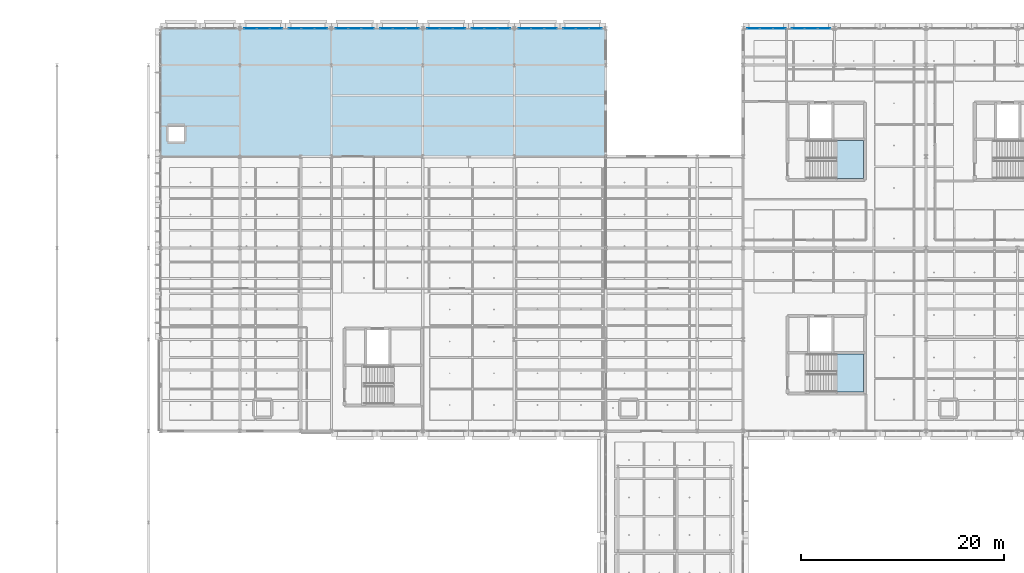
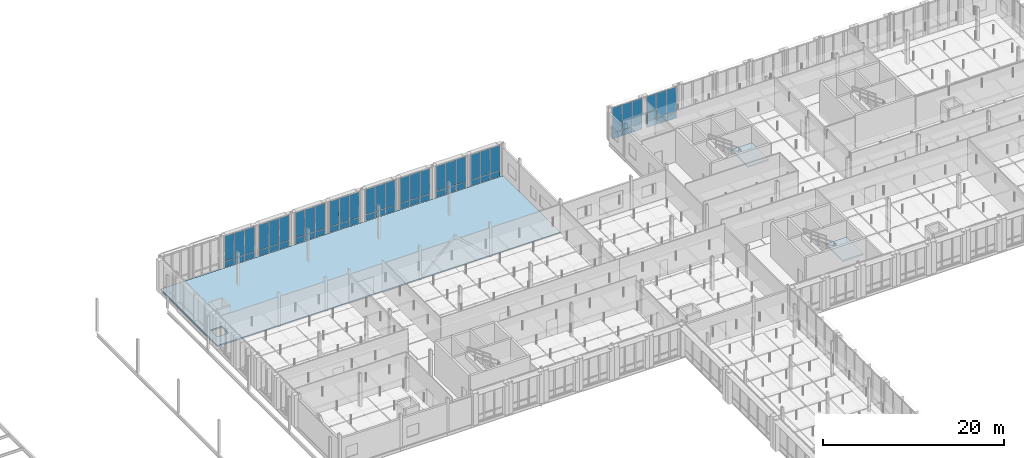
# One storey, part 58 of 130: 60 plates, 3 slabs, 12 elements without a shape of their own.
"""IFC4 building model written with IfcOpenShell, lengths in metres."""

from ifc_helpers import new_model, si_unit, direction, frame, origin, origin_2d, place, context, subcontext, project, spatial, polyline, rectangle, outline, extrude, material, layer, layer_set, type_object, element, aggregate, save


model = new_model("IFC4")

# Units and contexts
model_context = context("Model", 3, precision=1e-05, world=origin(), true_north=direction((0.0, 1.0)))
body_context = subcontext(model_context, "Body", "Model", "MODEL_VIEW")
ifc_project = project(units=[si_unit("LENGTHUNIT", "METRE"), si_unit("AREAUNIT", "SQUARE_METRE"), si_unit("VOLUMEUNIT", "CUBIC_METRE"), si_unit("PLANEANGLEUNIT", "RADIAN"), si_unit("MASSUNIT", "GRAM", prefix="KILO"), si_unit("THERMODYNAMICTEMPERATUREUNIT", "KELVIN"), si_unit("POWERUNIT", "WATT")], contexts=[model_context])

# Site, building, storey
site_placement = place(None, origin())
site = spatial("IfcSite", under=ifc_project, at=site_placement, CompositionType="ELEMENT")
building_placement = place(site_placement, origin())
building = spatial("IfcBuilding", under=site, at=building_placement, Name="Tallowbark Science Centre", CompositionType="ELEMENT")
storey_placement = place(building_placement, frame((0.0, 0.0, 5.39990234375)))
storey = spatial("IfcBuildingStorey", under=building, at=storey_placement, Name="L01", CompositionType="ELEMENT", Elevation=5.39990234375)

# Curtain wall, plates
ifc_material_1 = material(Name="Unitised Thermally Broken Aluminium and Low-E Double Glazing", Category="aluminium")
curtain_wall_type = type_object("IfcCurtainWallType", Name="CW-SYS-FACADE", PredefinedType="NOTDEFINED", material=ifc_material_1)
curtain_wall_1_placement = place(storey_placement, origin())
curtain_wall_1 = element("IfcCurtainWall", 1, at=curtain_wall_1_placement, inside=storey, type_object=curtain_wall_type, Name="Unitised Curtain Wall CAF-N-63B CW-L01-052", PredefinedType="NOTDEFINED")
ifc_material_2 = material(Name="Double Glazed Argon Low-E Vision Glass", Category="glass")
ifc_layer_1 = layer(ifc_material_2, 0.028076171875)
ifc_layer_set_1 = layer_set([ifc_layer_1], Name="Double Glazed Argon Low-E Vision Glass")
plate_type_1 = type_object("IfcPlateType", Name="CWP-GLZ-28", PredefinedType="CURTAIN_PANEL", material=ifc_layer_set_1)
plate_1_placement = place(storey_placement, frame((66.583740234375, 111.60009765625, 0.05517578125), z_axis=(0.0, 0.0, 1.0), x_axis=(-1.0, 0.0, 0.0)))
plate_1 = element("IfcPlate", 2, at=plate_1_placement, type_object=plate_type_1, Name="CW-01 panel 1.1", PredefinedType="CURTAIN_PANEL", context=body_context, shape_type="SweptSolid", body=[
    extrude(rectangle(XDim=1.202392578125, YDim=0.028076171875, at=origin_2d()), origin(), (0.0, 0.0, 1.0), 0.767578125),
])
plate_2_placement = place(storey_placement, frame((66.583740234375, 111.60009765625, 0.87744140625), z_axis=(0.0, 0.0, 1.0), x_axis=(-1.0, 0.0, 0.0)))
plate_2 = element("IfcPlate", 3, at=plate_2_placement, type_object=plate_type_1, Name="CW-01 panel 1.2", PredefinedType="CURTAIN_PANEL", context=body_context, shape_type="SweptSolid", body=[
    extrude(rectangle(XDim=1.202392578125, YDim=0.028076171875, at=origin_2d()), origin(), (0.0, 0.0, 1.0), 3.387451171875),
])
plate_3_placement = place(storey_placement, frame((65.300048828125, 111.60009765625, 0.05517578125), z_axis=(0.0, 0.0, 1.0), x_axis=(-1.0, 0.0, 0.0)))
plate_3 = element("IfcPlate", 4, at=plate_3_placement, type_object=plate_type_1, Name="CW-01 panel 2.1", PredefinedType="CURTAIN_PANEL", context=body_context, shape_type="SweptSolid", body=[
    extrude(rectangle(XDim=1.235107421875, YDim=0.028076171875, at=origin_2d()), origin(), (0.0, 0.0, 1.0), 0.767578125),
])
plate_4_placement = place(storey_placement, frame((65.300048828125, 111.60009765625, 0.87744140625), z_axis=(0.0, 0.0, 1.0), x_axis=(-1.0, 0.0, 0.0)))
plate_4 = element("IfcPlate", 5, at=plate_4_placement, type_object=plate_type_1, Name="CW-01 panel 2.2", PredefinedType="CURTAIN_PANEL", context=body_context, shape_type="SweptSolid", body=[
    extrude(rectangle(XDim=1.235107421875, YDim=0.028076171875, at=origin_2d()), origin(), (0.0, 0.0, 1.0), 3.387451171875),
])
plate_5_placement = place(storey_placement, frame((64.016357421875, 111.60009765625, 0.05517578125), z_axis=(0.0, 0.0, 1.0), x_axis=(-1.0, 0.0, 0.0)))
plate_5 = element("IfcPlate", 6, at=plate_5_placement, type_object=plate_type_1, Name="CW-01 panel 3.1", PredefinedType="CURTAIN_PANEL", context=body_context, shape_type="SweptSolid", body=[
    extrude(rectangle(XDim=1.202392578125, YDim=0.028076171875, at=origin_2d()), origin(), (0.0, 0.0, 1.0), 0.767578125),
])
plate_6_placement = place(storey_placement, frame((64.016357421875, 111.60009765625, 0.87744140625), z_axis=(0.0, 0.0, 1.0), x_axis=(-1.0, 0.0, 0.0)))
plate_6 = element("IfcPlate", 7, at=plate_6_placement, type_object=plate_type_1, Name="CW-01 panel 3.2", PredefinedType="CURTAIN_PANEL", context=body_context, shape_type="SweptSolid", body=[
    extrude(rectangle(XDim=1.202392578125, YDim=0.028076171875, at=origin_2d()), origin(), (0.0, 0.0, 1.0), 3.387451171875),
])
aggregate(curtain_wall_1, [plate_1, plate_2, plate_3, plate_4, plate_5, plate_6])

curtain_wall_2_placement = place(storey_placement, origin())
curtain_wall_2 = element("IfcCurtainWall", 8, at=curtain_wall_2_placement, inside=storey, type_object=curtain_wall_type, Name="Unitised Curtain Wall CAF-N-72A CW-L01-053", PredefinedType="NOTDEFINED")
plate_7_placement = place(storey_placement, frame((79.983642578125, 111.60009765625, 0.05517578125), z_axis=(0.0, 0.0, 1.0), x_axis=(-1.0, 0.0, 0.0)))
plate_7 = element("IfcPlate", 9, at=plate_7_placement, type_object=plate_type_1, Name="CW-01 panel 1.1", PredefinedType="CURTAIN_PANEL", context=body_context, shape_type="SweptSolid", body=[
    extrude(rectangle(XDim=1.202392578125, YDim=0.028076171875, at=origin_2d()), origin(), (0.0, 0.0, 1.0), 0.767578125),
])
plate_8_placement = place(storey_placement, frame((79.983642578125, 111.60009765625, 0.87744140625), z_axis=(0.0, 0.0, 1.0), x_axis=(-1.0, 0.0, 0.0)))
plate_8 = element("IfcPlate", 10, at=plate_8_placement, type_object=plate_type_1, Name="CW-01 panel 1.2", PredefinedType="CURTAIN_PANEL", context=body_context, shape_type="SweptSolid", body=[
    extrude(rectangle(XDim=1.202392578125, YDim=0.028076171875, at=origin_2d()), origin(), (0.0, 0.0, 1.0), 3.387451171875),
])
plate_9_placement = place(storey_placement, frame((78.699951171875, 111.60009765625, 0.05517578125), z_axis=(0.0, 0.0, 1.0), x_axis=(-1.0, 0.0, 0.0)))
plate_9 = element("IfcPlate", 11, at=plate_9_placement, type_object=plate_type_1, Name="CW-01 panel 2.1", PredefinedType="CURTAIN_PANEL", context=body_context, shape_type="SweptSolid", body=[
    extrude(rectangle(XDim=1.235107421875, YDim=0.028076171875, at=origin_2d()), origin(), (0.0, 0.0, 1.0), 0.767578125),
])
plate_10_placement = place(storey_placement, frame((78.699951171875, 111.60009765625, 0.87744140625), z_axis=(0.0, 0.0, 1.0), x_axis=(-1.0, 0.0, 0.0)))
plate_10 = element("IfcPlate", 12, at=plate_10_placement, type_object=plate_type_1, Name="CW-01 panel 2.2", PredefinedType="CURTAIN_PANEL", context=body_context, shape_type="SweptSolid", body=[
    extrude(rectangle(XDim=1.235107421875, YDim=0.028076171875, at=origin_2d()), origin(), (0.0, 0.0, 1.0), 3.387451171875),
])
plate_11_placement = place(storey_placement, frame((77.416259765625, 111.60009765625, 0.05517578125), z_axis=(0.0, 0.0, 1.0), x_axis=(-1.0, 0.0, 0.0)))
plate_11 = element("IfcPlate", 13, at=plate_11_placement, type_object=plate_type_1, Name="CW-01 panel 3.1", PredefinedType="CURTAIN_PANEL", context=body_context, shape_type="SweptSolid", body=[
    extrude(rectangle(XDim=1.202392578125, YDim=0.028076171875, at=origin_2d()), origin(), (0.0, 0.0, 1.0), 0.767578125),
])
plate_12_placement = place(storey_placement, frame((77.416259765625, 111.60009765625, 0.87744140625), z_axis=(0.0, 0.0, 1.0), x_axis=(-1.0, 0.0, 0.0)))
plate_12 = element("IfcPlate", 14, at=plate_12_placement, type_object=plate_type_1, Name="CW-01 panel 3.2", PredefinedType="CURTAIN_PANEL", context=body_context, shape_type="SweptSolid", body=[
    extrude(rectangle(XDim=1.202392578125, YDim=0.028076171875, at=origin_2d()), origin(), (0.0, 0.0, 1.0), 3.387451171875),
])
aggregate(curtain_wall_2, [plate_7, plate_8, plate_9, plate_10, plate_11, plate_12])

curtain_wall_3_placement = place(storey_placement, origin())
curtain_wall_3 = element("IfcCurtainWall", 15, at=curtain_wall_3_placement, inside=storey, type_object=curtain_wall_type, Name="Unitised Curtain Wall CAF-N-81A CW-L01-055", PredefinedType="NOTDEFINED")
plate_13_placement = place(storey_placement, frame((88.983642578125, 111.60009765625, 0.05517578125), z_axis=(0.0, 0.0, 1.0), x_axis=(-1.0, 0.0, 0.0)))
plate_13 = element("IfcPlate", 16, at=plate_13_placement, type_object=plate_type_1, Name="CW-01 panel 1.1", PredefinedType="CURTAIN_PANEL", context=body_context, shape_type="SweptSolid", body=[
    extrude(rectangle(XDim=1.202392578125, YDim=0.028076171875, at=origin_2d()), origin(), (0.0, 0.0, 1.0), 0.767578125),
])
plate_14_placement = place(storey_placement, frame((88.983642578125, 111.60009765625, 0.87744140625), z_axis=(0.0, 0.0, 1.0), x_axis=(-1.0, 0.0, 0.0)))
plate_14 = element("IfcPlate", 17, at=plate_14_placement, type_object=plate_type_1, Name="CW-01 panel 1.2", PredefinedType="CURTAIN_PANEL", context=body_context, shape_type="SweptSolid", body=[
    extrude(rectangle(XDim=1.202392578125, YDim=0.028076171875, at=origin_2d()), origin(), (0.0, 0.0, 1.0), 3.387451171875),
])
plate_15_placement = place(storey_placement, frame((87.699951171875, 111.60009765625, 0.05517578125), z_axis=(0.0, 0.0, 1.0), x_axis=(-1.0, 0.0, 0.0)))
plate_15 = element("IfcPlate", 18, at=plate_15_placement, type_object=plate_type_1, Name="CW-01 panel 2.1", PredefinedType="CURTAIN_PANEL", context=body_context, shape_type="SweptSolid", body=[
    extrude(rectangle(XDim=1.235107421875, YDim=0.028076171875, at=origin_2d()), origin(), (0.0, 0.0, 1.0), 0.767578125),
])
plate_16_placement = place(storey_placement, frame((87.699951171875, 111.60009765625, 0.87744140625), z_axis=(0.0, 0.0, 1.0), x_axis=(-1.0, 0.0, 0.0)))
plate_16 = element("IfcPlate", 19, at=plate_16_placement, type_object=plate_type_1, Name="CW-01 panel 2.2", PredefinedType="CURTAIN_PANEL", context=body_context, shape_type="SweptSolid", body=[
    extrude(rectangle(XDim=1.235107421875, YDim=0.028076171875, at=origin_2d()), origin(), (0.0, 0.0, 1.0), 3.387451171875),
])
plate_17_placement = place(storey_placement, frame((86.416259765625, 111.60009765625, 0.05517578125), z_axis=(0.0, 0.0, 1.0), x_axis=(-1.0, 0.0, 0.0)))
plate_17 = element("IfcPlate", 20, at=plate_17_placement, type_object=plate_type_1, Name="CW-01 panel 3.1", PredefinedType="CURTAIN_PANEL", context=body_context, shape_type="SweptSolid", body=[
    extrude(rectangle(XDim=1.202392578125, YDim=0.028076171875, at=origin_2d()), origin(), (0.0, 0.0, 1.0), 0.767578125),
])
plate_18_placement = place(storey_placement, frame((86.416259765625, 111.60009765625, 0.87744140625), z_axis=(0.0, 0.0, 1.0), x_axis=(-1.0, 0.0, 0.0)))
plate_18 = element("IfcPlate", 21, at=plate_18_placement, type_object=plate_type_1, Name="CW-01 panel 3.2", PredefinedType="CURTAIN_PANEL", context=body_context, shape_type="SweptSolid", body=[
    extrude(rectangle(XDim=1.202392578125, YDim=0.028076171875, at=origin_2d()), origin(), (0.0, 0.0, 1.0), 3.387451171875),
])
aggregate(curtain_wall_3, [plate_13, plate_14, plate_15, plate_16, plate_17, plate_18])

curtain_wall_4_placement = place(storey_placement, origin())
curtain_wall_4 = element("IfcCurtainWall", 22, at=curtain_wall_4_placement, inside=storey, type_object=curtain_wall_type, Name="Unitised Curtain Wall CAF-N-81B CW-L01-056", PredefinedType="NOTDEFINED")
plate_19_placement = place(storey_placement, frame((84.583740234375, 111.60009765625, 0.05517578125), z_axis=(0.0, 0.0, 1.0), x_axis=(-1.0, 0.0, 0.0)))
plate_19 = element("IfcPlate", 23, at=plate_19_placement, type_object=plate_type_1, Name="CW-01 panel 1.1", PredefinedType="CURTAIN_PANEL", context=body_context, shape_type="SweptSolid", body=[
    extrude(rectangle(XDim=1.202392578125, YDim=0.028076171875, at=origin_2d()), origin(), (0.0, 0.0, 1.0), 0.767578125),
])
plate_20_placement = place(storey_placement, frame((84.583740234375, 111.60009765625, 0.87744140625), z_axis=(0.0, 0.0, 1.0), x_axis=(-1.0, 0.0, 0.0)))
plate_20 = element("IfcPlate", 24, at=plate_20_placement, type_object=plate_type_1, Name="CW-01 panel 1.2", PredefinedType="CURTAIN_PANEL", context=body_context, shape_type="SweptSolid", body=[
    extrude(rectangle(XDim=1.202392578125, YDim=0.028076171875, at=origin_2d()), origin(), (0.0, 0.0, 1.0), 3.387451171875),
])
plate_21_placement = place(storey_placement, frame((83.300048828125, 111.60009765625, 0.05517578125), z_axis=(0.0, 0.0, 1.0), x_axis=(-1.0, 0.0, 0.0)))
plate_21 = element("IfcPlate", 25, at=plate_21_placement, type_object=plate_type_1, Name="CW-01 panel 2.1", PredefinedType="CURTAIN_PANEL", context=body_context, shape_type="SweptSolid", body=[
    extrude(rectangle(XDim=1.235107421875, YDim=0.028076171875, at=origin_2d()), origin(), (0.0, 0.0, 1.0), 0.767578125),
])
plate_22_placement = place(storey_placement, frame((83.300048828125, 111.60009765625, 0.87744140625), z_axis=(0.0, 0.0, 1.0), x_axis=(-1.0, 0.0, 0.0)))
plate_22 = element("IfcPlate", 26, at=plate_22_placement, type_object=plate_type_1, Name="CW-01 panel 2.2", PredefinedType="CURTAIN_PANEL", context=body_context, shape_type="SweptSolid", body=[
    extrude(rectangle(XDim=1.235107421875, YDim=0.028076171875, at=origin_2d()), origin(), (0.0, 0.0, 1.0), 3.387451171875),
])
plate_23_placement = place(storey_placement, frame((82.016357421875, 111.60009765625, 0.05517578125), z_axis=(0.0, 0.0, 1.0), x_axis=(-1.0, 0.0, 0.0)))
plate_23 = element("IfcPlate", 27, at=plate_23_placement, type_object=plate_type_1, Name="CW-01 panel 3.1", PredefinedType="CURTAIN_PANEL", context=body_context, shape_type="SweptSolid", body=[
    extrude(rectangle(XDim=1.202392578125, YDim=0.028076171875, at=origin_2d()), origin(), (0.0, 0.0, 1.0), 0.767578125),
])
plate_24_placement = place(storey_placement, frame((82.016357421875, 111.60009765625, 0.87744140625), z_axis=(0.0, 0.0, 1.0), x_axis=(-1.0, 0.0, 0.0)))
plate_24 = element("IfcPlate", 28, at=plate_24_placement, type_object=plate_type_1, Name="CW-01 panel 3.2", PredefinedType="CURTAIN_PANEL", context=body_context, shape_type="SweptSolid", body=[
    extrude(rectangle(XDim=1.202392578125, YDim=0.028076171875, at=origin_2d()), origin(), (0.0, 0.0, 1.0), 3.387451171875),
])
aggregate(curtain_wall_4, [plate_19, plate_20, plate_21, plate_22, plate_23, plate_24])

curtain_wall_5_placement = place(storey_placement, origin())
curtain_wall_5 = element("IfcCurtainWall", 29, at=curtain_wall_5_placement, inside=storey, type_object=curtain_wall_type, Name="Unitised Curtain Wall CAF-N-90B CW-L01-058", PredefinedType="NOTDEFINED")
plate_25_placement = place(storey_placement, frame((93.583740234375, 111.60009765625, 0.05517578125), z_axis=(0.0, 0.0, 1.0), x_axis=(-1.0, 0.0, 0.0)))
plate_25 = element("IfcPlate", 30, at=plate_25_placement, type_object=plate_type_1, Name="CW-01 panel 1.1", PredefinedType="CURTAIN_PANEL", context=body_context, shape_type="SweptSolid", body=[
    extrude(rectangle(XDim=1.202392578125, YDim=0.028076171875, at=origin_2d()), origin(), (0.0, 0.0, 1.0), 0.767578125),
])
plate_26_placement = place(storey_placement, frame((93.583740234375, 111.60009765625, 0.87744140625), z_axis=(0.0, 0.0, 1.0), x_axis=(-1.0, 0.0, 0.0)))
plate_26 = element("IfcPlate", 31, at=plate_26_placement, type_object=plate_type_1, Name="CW-01 panel 1.2", PredefinedType="CURTAIN_PANEL", context=body_context, shape_type="SweptSolid", body=[
    extrude(rectangle(XDim=1.202392578125, YDim=0.028076171875, at=origin_2d()), origin(), (0.0, 0.0, 1.0), 3.387451171875),
])
plate_27_placement = place(storey_placement, frame((92.300048828125, 111.60009765625, 0.05517578125), z_axis=(0.0, 0.0, 1.0), x_axis=(-1.0, 0.0, 0.0)))
plate_27 = element("IfcPlate", 32, at=plate_27_placement, type_object=plate_type_1, Name="CW-01 panel 2.1", PredefinedType="CURTAIN_PANEL", context=body_context, shape_type="SweptSolid", body=[
    extrude(rectangle(XDim=1.235107421875, YDim=0.028076171875, at=origin_2d()), origin(), (0.0, 0.0, 1.0), 0.767578125),
])
plate_28_placement = place(storey_placement, frame((92.300048828125, 111.60009765625, 0.87744140625), z_axis=(0.0, 0.0, 1.0), x_axis=(-1.0, 0.0, 0.0)))
plate_28 = element("IfcPlate", 33, at=plate_28_placement, type_object=plate_type_1, Name="CW-01 panel 2.2", PredefinedType="CURTAIN_PANEL", context=body_context, shape_type="SweptSolid", body=[
    extrude(rectangle(XDim=1.235107421875, YDim=0.028076171875, at=origin_2d()), origin(), (0.0, 0.0, 1.0), 3.387451171875),
])
plate_29_placement = place(storey_placement, frame((91.016357421875, 111.60009765625, 0.05517578125), z_axis=(0.0, 0.0, 1.0), x_axis=(-1.0, 0.0, 0.0)))
plate_29 = element("IfcPlate", 34, at=plate_29_placement, type_object=plate_type_1, Name="CW-01 panel 3.1", PredefinedType="CURTAIN_PANEL", context=body_context, shape_type="SweptSolid", body=[
    extrude(rectangle(XDim=1.202392578125, YDim=0.028076171875, at=origin_2d()), origin(), (0.0, 0.0, 1.0), 0.767578125),
])
plate_30_placement = place(storey_placement, frame((91.016357421875, 111.60009765625, 0.87744140625), z_axis=(0.0, 0.0, 1.0), x_axis=(-1.0, 0.0, 0.0)))
plate_30 = element("IfcPlate", 35, at=plate_30_placement, type_object=plate_type_1, Name="CW-01 panel 3.2", PredefinedType="CURTAIN_PANEL", context=body_context, shape_type="SweptSolid", body=[
    extrude(rectangle(XDim=1.202392578125, YDim=0.028076171875, at=origin_2d()), origin(), (0.0, 0.0, 1.0), 3.387451171875),
])
aggregate(curtain_wall_5, [plate_25, plate_26, plate_27, plate_28, plate_29, plate_30])

curtain_wall_6_placement = place(storey_placement, origin())
curtain_wall_6 = element("IfcCurtainWall", 36, at=curtain_wall_6_placement, inside=storey, type_object=curtain_wall_type, Name="Unitised Curtain Wall OBS-N-112B CW-L01-115", PredefinedType="NOTDEFINED")
plate_31_placement = place(storey_placement, frame((116.083740234375, 111.60009765625, 0.05517578125), z_axis=(0.0, 0.0, 1.0), x_axis=(-1.0, 0.0, 0.0)))
plate_31 = element("IfcPlate", 37, at=plate_31_placement, type_object=plate_type_1, Name="CW-01 panel 1.1", PredefinedType="CURTAIN_PANEL", context=body_context, shape_type="SweptSolid", body=[
    extrude(rectangle(XDim=1.202392578125, YDim=0.028076171875, at=origin_2d()), origin(), (0.0, 0.0, 1.0), 0.767578125),
])
plate_32_placement = place(storey_placement, frame((116.083740234375, 111.60009765625, 0.87744140625), z_axis=(0.0, 0.0, 1.0), x_axis=(-1.0, 0.0, 0.0)))
plate_32 = element("IfcPlate", 38, at=plate_32_placement, type_object=plate_type_1, Name="CW-01 panel 1.2", PredefinedType="CURTAIN_PANEL", context=body_context, shape_type="SweptSolid", body=[
    extrude(rectangle(XDim=1.202392578125, YDim=0.028076171875, at=origin_2d()), origin(), (0.0, 0.0, 1.0), 3.387451171875),
])
plate_33_placement = place(storey_placement, frame((114.800048828125, 111.60009765625, 0.05517578125), z_axis=(0.0, 0.0, 1.0), x_axis=(-1.0, 0.0, 0.0)))
plate_33 = element("IfcPlate", 39, at=plate_33_placement, type_object=plate_type_1, Name="CW-01 panel 2.1", PredefinedType="CURTAIN_PANEL", context=body_context, shape_type="SweptSolid", body=[
    extrude(rectangle(XDim=1.235107421875, YDim=0.028076171875, at=origin_2d()), origin(), (0.0, 0.0, 1.0), 0.767578125),
])
plate_34_placement = place(storey_placement, frame((114.800048828125, 111.60009765625, 0.87744140625), z_axis=(0.0, 0.0, 1.0), x_axis=(-1.0, 0.0, 0.0)))
plate_34 = element("IfcPlate", 40, at=plate_34_placement, type_object=plate_type_1, Name="CW-01 panel 2.2", PredefinedType="CURTAIN_PANEL", context=body_context, shape_type="SweptSolid", body=[
    extrude(rectangle(XDim=1.235107421875, YDim=0.028076171875, at=origin_2d()), origin(), (0.0, 0.0, 1.0), 3.387451171875),
])
plate_35_placement = place(storey_placement, frame((113.516357421875, 111.60009765625, 0.05517578125), z_axis=(0.0, 0.0, 1.0), x_axis=(-1.0, 0.0, 0.0)))
plate_35 = element("IfcPlate", 41, at=plate_35_placement, type_object=plate_type_1, Name="CW-01 panel 3.1", PredefinedType="CURTAIN_PANEL", context=body_context, shape_type="SweptSolid", body=[
    extrude(rectangle(XDim=1.202392578125, YDim=0.028076171875, at=origin_2d()), origin(), (0.0, 0.0, 1.0), 0.767578125),
])
plate_36_placement = place(storey_placement, frame((113.516357421875, 111.60009765625, 0.87744140625), z_axis=(0.0, 0.0, 1.0), x_axis=(-1.0, 0.0, 0.0)))
plate_36 = element("IfcPlate", 42, at=plate_36_placement, type_object=plate_type_1, Name="CW-01 panel 3.2", PredefinedType="CURTAIN_PANEL", context=body_context, shape_type="SweptSolid", body=[
    extrude(rectangle(XDim=1.202392578125, YDim=0.028076171875, at=origin_2d()), origin(), (0.0, 0.0, 1.0), 3.387451171875),
])
aggregate(curtain_wall_6, [plate_31, plate_32, plate_33, plate_34, plate_35, plate_36])

curtain_wall_7_placement = place(storey_placement, origin())
curtain_wall_7 = element("IfcCurtainWall", 43, at=curtain_wall_7_placement, inside=storey, type_object=curtain_wall_type, Name="Unitised Curtain Wall CAF-N-63A CW-L01-051", PredefinedType="NOTDEFINED")
ifc_material_3 = material(Name="Ceramic-Fritted Insulated Glass Spandrel Panel", Category="glass")
ifc_layer_2 = layer(ifc_material_3, 0.031982421875)
ifc_layer_set_2 = layer_set([ifc_layer_2], Name="Ceramic-Fritted Insulated Glass Spandrel Panel")
plate_type_2 = type_object("IfcPlateType", Name="CWP-SPN-32", PredefinedType="CURTAIN_PANEL", material=ifc_layer_set_2)
plate_37_placement = place(storey_placement, frame((70.983642578125, 111.60009765625, 0.05517578125), z_axis=(0.0, 0.0, 1.0), x_axis=(-1.0, 0.0, 0.0)))
plate_37 = element("IfcPlate", 44, at=plate_37_placement, type_object=plate_type_2, Name="CW-01 panel 1.1", PredefinedType="CURTAIN_PANEL", context=body_context, shape_type="SweptSolid", body=[
    extrude(rectangle(XDim=1.202392578125, YDim=0.031982421875, at=origin_2d()), origin(), (0.0, 0.0, 1.0), 0.767578125),
])
plate_38_placement = place(storey_placement, frame((70.983642578125, 111.60009765625, 0.87744140625), z_axis=(0.0, 0.0, 1.0), x_axis=(-1.0, 0.0, 0.0)))
plate_38 = element("IfcPlate", 45, at=plate_38_placement, type_object=plate_type_2, Name="CW-01 panel 1.2", PredefinedType="CURTAIN_PANEL", context=body_context, shape_type="SweptSolid", body=[
    extrude(rectangle(XDim=1.202392578125, YDim=0.031982421875, at=origin_2d()), origin(), (0.0, 0.0, 1.0), 3.387451171875),
])
plate_39_placement = place(storey_placement, frame((69.699951171875, 111.60009765625, 0.05517578125), z_axis=(0.0, 0.0, 1.0), x_axis=(-1.0, 0.0, 0.0)))
plate_39 = element("IfcPlate", 46, at=plate_39_placement, type_object=plate_type_2, Name="CW-01 panel 2.1", PredefinedType="CURTAIN_PANEL", context=body_context, shape_type="SweptSolid", body=[
    extrude(rectangle(XDim=1.235107421875, YDim=0.031982421875, at=origin_2d()), origin(), (0.0, 0.0, 1.0), 0.767578125),
])
plate_40_placement = place(storey_placement, frame((69.699951171875, 111.60009765625, 0.87744140625), z_axis=(0.0, 0.0, 1.0), x_axis=(-1.0, 0.0, 0.0)))
plate_40 = element("IfcPlate", 47, at=plate_40_placement, type_object=plate_type_2, Name="CW-01 panel 2.2", PredefinedType="CURTAIN_PANEL", context=body_context, shape_type="SweptSolid", body=[
    extrude(rectangle(XDim=1.235107421875, YDim=0.031982421875, at=origin_2d()), origin(), (0.0, 0.0, 1.0), 3.387451171875),
])
plate_41_placement = place(storey_placement, frame((68.416259765625, 111.60009765625, 0.05517578125), z_axis=(0.0, 0.0, 1.0), x_axis=(-1.0, 0.0, 0.0)))
plate_41 = element("IfcPlate", 48, at=plate_41_placement, type_object=plate_type_2, Name="CW-01 panel 3.1", PredefinedType="CURTAIN_PANEL", context=body_context, shape_type="SweptSolid", body=[
    extrude(rectangle(XDim=1.202392578125, YDim=0.031982421875, at=origin_2d()), origin(), (0.0, 0.0, 1.0), 0.767578125),
])
plate_42_placement = place(storey_placement, frame((68.416259765625, 111.60009765625, 0.87744140625), z_axis=(0.0, 0.0, 1.0), x_axis=(-1.0, 0.0, 0.0)))
plate_42 = element("IfcPlate", 49, at=plate_42_placement, type_object=plate_type_2, Name="CW-01 panel 3.2", PredefinedType="CURTAIN_PANEL", context=body_context, shape_type="SweptSolid", body=[
    extrude(rectangle(XDim=1.202392578125, YDim=0.031982421875, at=origin_2d()), origin(), (0.0, 0.0, 1.0), 3.387451171875),
])
aggregate(curtain_wall_7, [plate_37, plate_38, plate_39, plate_40, plate_41, plate_42])

curtain_wall_8_placement = place(storey_placement, origin())
curtain_wall_8 = element("IfcCurtainWall", 50, at=curtain_wall_8_placement, inside=storey, type_object=curtain_wall_type, Name="Unitised Curtain Wall CAF-N-72B CW-L01-054", PredefinedType="NOTDEFINED")
plate_43_placement = place(storey_placement, frame((75.583740234375, 111.60009765625, 0.05517578125), z_axis=(0.0, 0.0, 1.0), x_axis=(-1.0, 0.0, 0.0)))
plate_43 = element("IfcPlate", 51, at=plate_43_placement, type_object=plate_type_2, Name="CW-01 panel 1.1", PredefinedType="CURTAIN_PANEL", context=body_context, shape_type="SweptSolid", body=[
    extrude(rectangle(XDim=1.202392578125, YDim=0.031982421875, at=origin_2d()), origin(), (0.0, 0.0, 1.0), 0.767578125),
])
plate_44_placement = place(storey_placement, frame((75.583740234375, 111.60009765625, 0.87744140625), z_axis=(0.0, 0.0, 1.0), x_axis=(-1.0, 0.0, 0.0)))
plate_44 = element("IfcPlate", 52, at=plate_44_placement, type_object=plate_type_2, Name="CW-01 panel 1.2", PredefinedType="CURTAIN_PANEL", context=body_context, shape_type="SweptSolid", body=[
    extrude(rectangle(XDim=1.202392578125, YDim=0.031982421875, at=origin_2d()), origin(), (0.0, 0.0, 1.0), 3.387451171875),
])
plate_45_placement = place(storey_placement, frame((74.300048828125, 111.60009765625, 0.05517578125), z_axis=(0.0, 0.0, 1.0), x_axis=(-1.0, 0.0, 0.0)))
plate_45 = element("IfcPlate", 53, at=plate_45_placement, type_object=plate_type_2, Name="CW-01 panel 2.1", PredefinedType="CURTAIN_PANEL", context=body_context, shape_type="SweptSolid", body=[
    extrude(rectangle(XDim=1.235107421875, YDim=0.031982421875, at=origin_2d()), origin(), (0.0, 0.0, 1.0), 0.767578125),
])
plate_46_placement = place(storey_placement, frame((74.300048828125, 111.60009765625, 0.87744140625), z_axis=(0.0, 0.0, 1.0), x_axis=(-1.0, 0.0, 0.0)))
plate_46 = element("IfcPlate", 54, at=plate_46_placement, type_object=plate_type_2, Name="CW-01 panel 2.2", PredefinedType="CURTAIN_PANEL", context=body_context, shape_type="SweptSolid", body=[
    extrude(rectangle(XDim=1.235107421875, YDim=0.031982421875, at=origin_2d()), origin(), (0.0, 0.0, 1.0), 3.387451171875),
])
plate_47_placement = place(storey_placement, frame((73.016357421875, 111.60009765625, 0.05517578125), z_axis=(0.0, 0.0, 1.0), x_axis=(-1.0, 0.0, 0.0)))
plate_47 = element("IfcPlate", 55, at=plate_47_placement, type_object=plate_type_2, Name="CW-01 panel 3.1", PredefinedType="CURTAIN_PANEL", context=body_context, shape_type="SweptSolid", body=[
    extrude(rectangle(XDim=1.202392578125, YDim=0.031982421875, at=origin_2d()), origin(), (0.0, 0.0, 1.0), 0.767578125),
])
plate_48_placement = place(storey_placement, frame((73.016357421875, 111.60009765625, 0.87744140625), z_axis=(0.0, 0.0, 1.0), x_axis=(-1.0, 0.0, 0.0)))
plate_48 = element("IfcPlate", 56, at=plate_48_placement, type_object=plate_type_2, Name="CW-01 panel 3.2", PredefinedType="CURTAIN_PANEL", context=body_context, shape_type="SweptSolid", body=[
    extrude(rectangle(XDim=1.202392578125, YDim=0.031982421875, at=origin_2d()), origin(), (0.0, 0.0, 1.0), 3.387451171875),
])
aggregate(curtain_wall_8, [plate_43, plate_44, plate_45, plate_46, plate_47, plate_48])

curtain_wall_9_placement = place(storey_placement, origin())
curtain_wall_9 = element("IfcCurtainWall", 57, at=curtain_wall_9_placement, inside=storey, type_object=curtain_wall_type, Name="Unitised Curtain Wall CAF-N-90A CW-L01-057", PredefinedType="NOTDEFINED")
plate_49_placement = place(storey_placement, frame((97.983642578125, 111.60009765625, 0.05517578125), z_axis=(0.0, 0.0, 1.0), x_axis=(-1.0, 0.0, 0.0)))
plate_49 = element("IfcPlate", 58, at=plate_49_placement, type_object=plate_type_2, Name="CW-01 panel 1.1", PredefinedType="CURTAIN_PANEL", context=body_context, shape_type="SweptSolid", body=[
    extrude(rectangle(XDim=1.202392578125, YDim=0.031982421875, at=origin_2d()), origin(), (0.0, 0.0, 1.0), 0.767578125),
])
plate_50_placement = place(storey_placement, frame((97.983642578125, 111.60009765625, 0.87744140625), z_axis=(0.0, 0.0, 1.0), x_axis=(-1.0, 0.0, 0.0)))
plate_50 = element("IfcPlate", 59, at=plate_50_placement, type_object=plate_type_2, Name="CW-01 panel 1.2", PredefinedType="CURTAIN_PANEL", context=body_context, shape_type="SweptSolid", body=[
    extrude(rectangle(XDim=1.202392578125, YDim=0.031982421875, at=origin_2d()), origin(), (0.0, 0.0, 1.0), 3.387451171875),
])
plate_51_placement = place(storey_placement, frame((96.699951171875, 111.60009765625, 0.05517578125), z_axis=(0.0, 0.0, 1.0), x_axis=(-1.0, 0.0, 0.0)))
plate_51 = element("IfcPlate", 60, at=plate_51_placement, type_object=plate_type_2, Name="CW-01 panel 2.1", PredefinedType="CURTAIN_PANEL", context=body_context, shape_type="SweptSolid", body=[
    extrude(rectangle(XDim=1.235107421875, YDim=0.031982421875, at=origin_2d()), origin(), (0.0, 0.0, 1.0), 0.767578125),
])
plate_52_placement = place(storey_placement, frame((96.699951171875, 111.60009765625, 0.87744140625), z_axis=(0.0, 0.0, 1.0), x_axis=(-1.0, 0.0, 0.0)))
plate_52 = element("IfcPlate", 61, at=plate_52_placement, type_object=plate_type_2, Name="CW-01 panel 2.2", PredefinedType="CURTAIN_PANEL", context=body_context, shape_type="SweptSolid", body=[
    extrude(rectangle(XDim=1.235107421875, YDim=0.031982421875, at=origin_2d()), origin(), (0.0, 0.0, 1.0), 3.387451171875),
])
plate_53_placement = place(storey_placement, frame((95.416259765625, 111.60009765625, 0.05517578125), z_axis=(0.0, 0.0, 1.0), x_axis=(-1.0, 0.0, 0.0)))
plate_53 = element("IfcPlate", 62, at=plate_53_placement, type_object=plate_type_2, Name="CW-01 panel 3.1", PredefinedType="CURTAIN_PANEL", context=body_context, shape_type="SweptSolid", body=[
    extrude(rectangle(XDim=1.202392578125, YDim=0.031982421875, at=origin_2d()), origin(), (0.0, 0.0, 1.0), 0.767578125),
])
plate_54_placement = place(storey_placement, frame((95.416259765625, 111.60009765625, 0.87744140625), z_axis=(0.0, 0.0, 1.0), x_axis=(-1.0, 0.0, 0.0)))
plate_54 = element("IfcPlate", 63, at=plate_54_placement, type_object=plate_type_2, Name="CW-01 panel 3.2", PredefinedType="CURTAIN_PANEL", context=body_context, shape_type="SweptSolid", body=[
    extrude(rectangle(XDim=1.202392578125, YDim=0.031982421875, at=origin_2d()), origin(), (0.0, 0.0, 1.0), 3.387451171875),
])
aggregate(curtain_wall_9, [plate_49, plate_50, plate_51, plate_52, plate_53, plate_54])

curtain_wall_10_placement = place(storey_placement, origin())
curtain_wall_10 = element("IfcCurtainWall", 64, at=curtain_wall_10_placement, inside=storey, type_object=curtain_wall_type, Name="Unitised Curtain Wall OBS-N-112A CW-L01-114", PredefinedType="NOTDEFINED")
plate_55_placement = place(storey_placement, frame((120.483642578125, 111.60009765625, 0.05517578125), z_axis=(0.0, 0.0, 1.0), x_axis=(-1.0, 0.0, 0.0)))
plate_55 = element("IfcPlate", 65, at=plate_55_placement, type_object=plate_type_2, Name="CW-01 panel 1.1", PredefinedType="CURTAIN_PANEL", context=body_context, shape_type="SweptSolid", body=[
    extrude(rectangle(XDim=1.202392578125, YDim=0.031982421875, at=origin_2d()), origin(), (0.0, 0.0, 1.0), 0.767578125),
])
plate_56_placement = place(storey_placement, frame((120.483642578125, 111.60009765625, 0.87744140625), z_axis=(0.0, 0.0, 1.0), x_axis=(-1.0, 0.0, 0.0)))
plate_56 = element("IfcPlate", 66, at=plate_56_placement, type_object=plate_type_2, Name="CW-01 panel 1.2", PredefinedType="CURTAIN_PANEL", context=body_context, shape_type="SweptSolid", body=[
    extrude(rectangle(XDim=1.202392578125, YDim=0.031982421875, at=origin_2d()), origin(), (0.0, 0.0, 1.0), 3.387451171875),
])
plate_57_placement = place(storey_placement, frame((119.199951171875, 111.60009765625, 0.05517578125), z_axis=(0.0, 0.0, 1.0), x_axis=(-1.0, 0.0, 0.0)))
plate_57 = element("IfcPlate", 67, at=plate_57_placement, type_object=plate_type_2, Name="CW-01 panel 2.1", PredefinedType="CURTAIN_PANEL", context=body_context, shape_type="SweptSolid", body=[
    extrude(rectangle(XDim=1.235107421875, YDim=0.031982421875, at=origin_2d()), origin(), (0.0, 0.0, 1.0), 0.767578125),
])
plate_58_placement = place(storey_placement, frame((119.199951171875, 111.60009765625, 0.87744140625), z_axis=(0.0, 0.0, 1.0), x_axis=(-1.0, 0.0, 0.0)))
plate_58 = element("IfcPlate", 68, at=plate_58_placement, type_object=plate_type_2, Name="CW-01 panel 2.2", PredefinedType="CURTAIN_PANEL", context=body_context, shape_type="SweptSolid", body=[
    extrude(rectangle(XDim=1.235107421875, YDim=0.031982421875, at=origin_2d()), origin(), (0.0, 0.0, 1.0), 3.387451171875),
])
plate_59_placement = place(storey_placement, frame((117.916259765625, 111.60009765625, 0.05517578125), z_axis=(0.0, 0.0, 1.0), x_axis=(-1.0, 0.0, 0.0)))
plate_59 = element("IfcPlate", 69, at=plate_59_placement, type_object=plate_type_2, Name="CW-01 panel 3.1", PredefinedType="CURTAIN_PANEL", context=body_context, shape_type="SweptSolid", body=[
    extrude(rectangle(XDim=1.202392578125, YDim=0.031982421875, at=origin_2d()), origin(), (0.0, 0.0, 1.0), 0.767578125),
])
plate_60_placement = place(storey_placement, frame((117.916259765625, 111.60009765625, 0.87744140625), z_axis=(0.0, 0.0, 1.0), x_axis=(-1.0, 0.0, 0.0)))
plate_60 = element("IfcPlate", 70, at=plate_60_placement, type_object=plate_type_2, Name="CW-01 panel 3.2", PredefinedType="CURTAIN_PANEL", context=body_context, shape_type="SweptSolid", body=[
    extrude(rectangle(XDim=1.202392578125, YDim=0.031982421875, at=origin_2d()), origin(), (0.0, 0.0, 1.0), 3.387451171875),
])
aggregate(curtain_wall_10, [plate_55, plate_56, plate_57, plate_58, plate_59, plate_60])

# Slab
ifc_material_4 = material(Name="Concrete Grade N40 (40 MPa)", Category="concrete")
ifc_layer_3 = layer(ifc_material_4, 0.179931640625)
ifc_layer_set_3 = layer_set([ifc_layer_3], Name="Concrete Grade N40 (40 MPa)")
slab_type_1 = type_object("IfcSlabType", Name="SLB-FLR-180", PredefinedType="FLOOR", material=ifc_layer_set_3)
slab_1_placement = place(storey_placement, frame((0.0, 0.0, -0.179931640625)))
element("IfcSlab", 71, at=slab_1_placement, inside=storey, type_object=slab_type_1, Name="Science Park Cafe Slab L01 SLB-LAB-CAF-L01", PredefinedType="FLOOR", context=body_context, shape_type="SweptSolid", body=[
    extrude(outline(polyline([(55.199951171875, 99.0), (99.0, 99.0), (99.0, 111.60009765625), (55.199951171875, 111.60009765625), (55.199951171875, 99.0)]), holes=[polyline([(56.0, 100.5), (57.5, 100.5), (57.5, 102.0), (56.0, 102.0), (56.0, 100.5)])]), origin(), (0.0, 0.0, 1.0), 0.179931640625),
])

# Stair, slab
stair_type_1 = type_object("IfcStairType", Name="STR-C2", PredefinedType="HALF_TURN_STAIR", material=ifc_material_4)
stair_1_placement = place(storey_placement, origin())
stair_1 = element("IfcStair", 72, at=stair_1_placement, inside=storey, type_object=stair_type_1, Name="L01 Fire Stair ST-02", PredefinedType="HALF_TURN_STAIR")
ifc_layer_4 = layer(ifc_material_4, 0.199951171875)
ifc_layer_set_4 = layer_set([ifc_layer_4], Name="Concrete Grade N40 (40 MPa)")
slab_type_2 = type_object("IfcSlabType", Name="SLB-LND-200", PredefinedType="LANDING", material=ifc_layer_set_4)
slab_2_placement = place(storey_placement, frame((0.0, 0.0, 2.050048828125)))
slab_2 = element("IfcSlab", 73, at=slab_2_placement, type_object=slab_type_2, Name="ST-02 landing 1", PredefinedType="LANDING", context=body_context, shape_type="SweptSolid", body=[
    extrude(outline(polyline([(121.72509765625, 75.85009765625), (124.35009765625, 75.85009765625), (124.35009765625, 79.570068359375), (121.72509765625, 79.570068359375), (121.72509765625, 75.85009765625)])), origin(), (0.0, 0.0, 1.0), 0.199951171875),
])
aggregate(stair_1, [slab_2])

stair_type_2 = type_object("IfcStairType", Name="STR-C5", PredefinedType="HALF_TURN_STAIR", material=ifc_material_4)
stair_2_placement = place(storey_placement, origin())
stair_2 = element("IfcStair", 74, at=stair_2_placement, inside=storey, type_object=stair_type_2, Name="L01 Fire Stair ST-05", PredefinedType="HALF_TURN_STAIR")
slab_3_placement = place(storey_placement, frame((0.0, 0.0, 2.050048828125)))
slab_3 = element("IfcSlab", 75, at=slab_3_placement, type_object=slab_type_2, Name="ST-05 landing 1", PredefinedType="LANDING", context=body_context, shape_type="SweptSolid", body=[
    extrude(outline(polyline([(121.72509765625, 96.85009765625), (124.35009765625, 96.85009765625), (124.35009765625, 100.570068359375), (121.72509765625, 100.570068359375), (121.72509765625, 96.85009765625)])), origin(), (0.0, 0.0, 1.0), 0.199951171875),
])
aggregate(stair_2, [slab_3])

save(model, "model.ifc")
